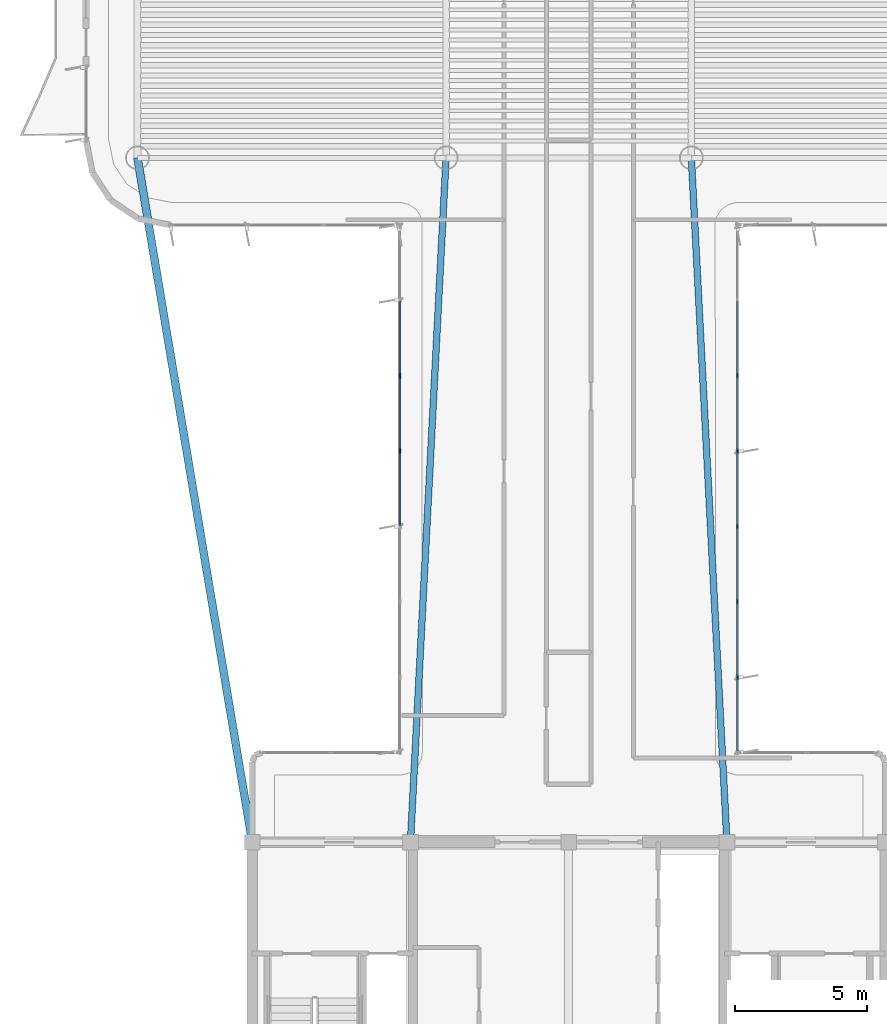
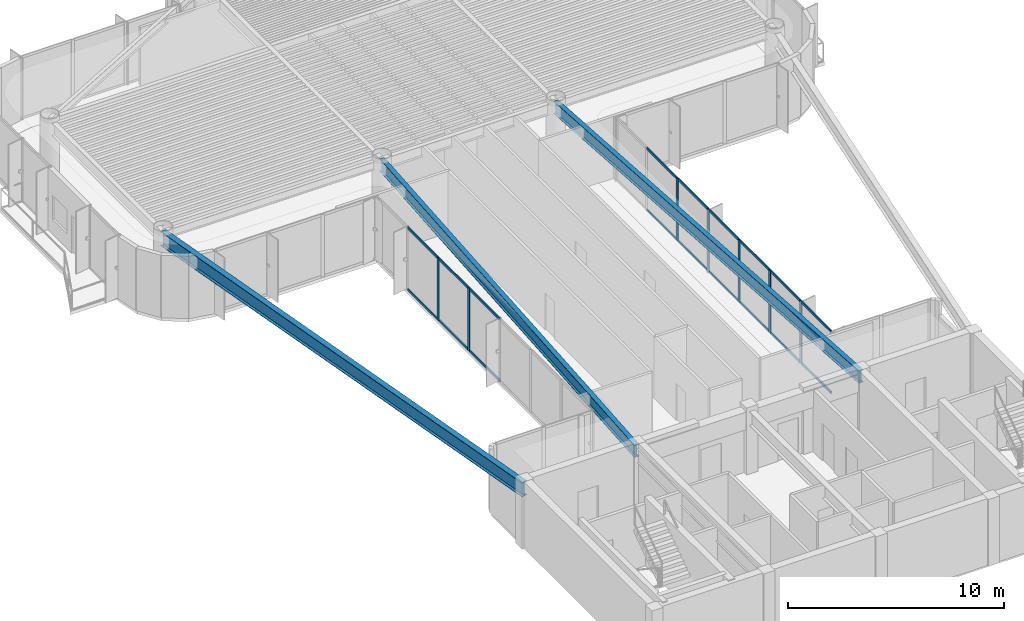
# One storey, part 3 of 14: 25 members, 3 beams, 2 elements without a shape of their own.
"""IFC4 building model written with IfcOpenShell, lengths in metres."""

from ifc_helpers import new_model, si_unit, direction, frame, origin, origin_2d, place, context, subcontext, project, spatial, rectangle, i_section, extrude, source, transform, mapped, material, layer, layer_set, material_profile, profile_set, type_object, element, aggregate, save


model = new_model("IFC4")

# Units and contexts
model_context = context("Model", 3, precision=1e-05, world=origin(), true_north=direction((0.0, 1.0)))
body_context = subcontext(model_context, "Body", "Model", "MODEL_VIEW")
ifc_project = project(units=[si_unit("LENGTHUNIT", "METRE"), si_unit("AREAUNIT", "SQUARE_METRE"), si_unit("VOLUMEUNIT", "CUBIC_METRE"), si_unit("PLANEANGLEUNIT", "RADIAN"), si_unit("MASSUNIT", "GRAM", prefix="KILO")], contexts=[model_context])

# Site, building, storey
site_placement = place(None, origin())
site = spatial("IfcSite", under=ifc_project, at=site_placement, CompositionType="ELEMENT")
building_placement = place(site_placement, origin())
building = spatial("IfcBuilding", under=site, at=building_placement, Name="Brelvock Crest Care Tower", CompositionType="ELEMENT")
storey_placement = place(building_placement, frame((0.0, 0.0, 257.0400390625)))
storey = spatial("IfcBuildingStorey", under=building, at=storey_placement, Name="L65", CompositionType="ELEMENT", Elevation=257.0400390625)

# Beams
ifc_material_1 = material(Name="Steel Grade 350", Category="steel")
ifc_material_profile_1 = material_profile(ifc_material_1, i_section(OverallWidth=0.25, OverallDepth=0.699951171875, WebThickness=0.011962890625, FlangeThickness=0.02001953125, at=origin_2d()), Name="700WB150")
ifc_profile_set_1 = profile_set([ifc_material_profile_1], Name="Steel Grade 350")
beam_type_1 = type_object("IfcBeamType", Name="BM-G4", PredefinedType="BEAM", material=ifc_profile_set_1)
shared_shape_1 = source(origin(), body_context, "Body", "SweptSolid", [
    extrude(i_section(OverallWidth=0.25, OverallDepth=0.699951171875, WebThickness=0.011962890625, FlangeThickness=0.02001953125, at=origin_2d()), origin(), (0.0, 0.0, 1.0), 25.985107421875),
])
for number, where, z_axis, x_axis, name in (
    (1, (30.0, 18.0, 3.179931640625), (0.051956711656, 0.998649337913, 0.0), (-0.998649337913, 0.051956711656, 0.0), "BM-THRW-L65"),
    (2, (42.0, 18.0, 3.179931640625), (-0.051956711656, 0.998649337913, 0.0), (-0.998649337913, -0.051956711656, 0.0), "BM-THRE-L65"),
):
    element("IfcBeam", number, at=place(storey_placement, frame(where, z_axis=z_axis, x_axis=x_axis)), inside=storey, type_object=beam_type_1, Name=name, PredefinedType="BEAM", context=body_context, shape_type="MappedRepresentation", body=[
        mapped(shared_shape_1, transform((0.0, 0.0, 0.0), x_axis=(1.0, 0.0, 0.0), y_axis=(0.0, 1.0, 0.0), z_axis=(0.0, 0.0, 1.0), scale=1.0)),
    ])
ifc_material_profile_2 = material_profile(ifc_material_1, i_section(OverallWidth=0.300048828125, OverallDepth=0.800048828125, WebThickness=0.013916015625, FlangeThickness=0.02197265625, at=origin_2d()), Name="800WB192")
ifc_profile_set_2 = profile_set([ifc_material_profile_2], Name="Steel Grade 350")
beam_type_2 = type_object("IfcBeamType", Name="BM-G5", PredefinedType="BEAM", material=ifc_profile_set_2)
shared_shape_2 = source(origin(), body_context, "Body", "SweptSolid", [
    extrude(i_section(OverallWidth=0.300048828125, OverallDepth=0.800048828125, WebThickness=0.013916015625, FlangeThickness=0.02197265625, at=origin_2d()), origin(), (0.0, 0.0, 1.0), 26.31201171875),
])
beam_placement = place(storey_placement, frame((24.0, 18.0, 3.1298828125), z_axis=(-0.165327282709, 0.986238758918, 0.0), x_axis=(-0.986238758918, -0.165327282709, 0.0)))
element("IfcBeam", 3, at=beam_placement, inside=storey, type_object=beam_type_2, Name="BM-THRO-W-L65", PredefinedType="BEAM", context=body_context, shape_type="MappedRepresentation", body=[
    mapped(shared_shape_2, transform((0.0, 0.0, 0.0), x_axis=(1.0, 0.0, 0.0), y_axis=(0.0, 1.0, 0.0), z_axis=(0.0, 0.0, 1.0), scale=1.0)),
])

# Curtain wall, members
ifc_material_2 = material(Name="Dark Glass Double Glazed Low-E", Category="glass")
ifc_layer = layer(ifc_material_2, 0.239990234375, Name="CWS-5")
ifc_layer_set = layer_set([ifc_layer], Name="Dark Glass Double Glazed Low-E")
curtain_wall_type = type_object("IfcCurtainWallType", Name="CWS-5", PredefinedType="NOTDEFINED", material=ifc_layer_set)
curtain_wall_1_placement = place(storey_placement, origin())
curtain_wall_1 = element("IfcCurtainWall", 4, at=curtain_wall_1_placement, inside=storey, type_object=curtain_wall_type, Name="L65 Curtain Wall E11", PredefinedType="NOTDEFINED")
ifc_material_3 = material(Name="Aluminium 6063-T6", Category="aluminium")
ifc_material_profile_3 = material_profile(ifc_material_3, rectangle(XDim=0.06005859375, YDim=0.179931640625, at=origin_2d()), Name="ALU60x180")
ifc_profile_set_3 = profile_set([ifc_material_profile_3], Name="Aluminium 6063-T6")
member_type_1 = type_object("IfcMemberType", Name="CWM-2", PredefinedType="MULLION", material=ifc_profile_set_3)
shared_shape_3 = source(origin(), body_context, "Body", "SweptSolid", [
    extrude(rectangle(XDim=0.06005859375, YDim=0.179931640625, at=origin_2d()), origin(), (0.0, 0.0, 1.0), 3.530029296875),
])
member_1_placement = place(storey_placement, frame((29.60009765625, 32.82861328125, 0.0), z_axis=(0.0, 0.0, 1.0), x_axis=(-1.0, 0.0, 0.0)))
member_1 = element("IfcMember", 5, at=member_1_placement, type_object=member_type_1, Name="CW-5 mullion 5", PredefinedType="MULLION", context=body_context, shape_type="MappedRepresentation", body=[
    mapped(shared_shape_3, transform((0.0, 0.0, 0.0), x_axis=(1.0, 0.0, 0.0), y_axis=(0.0, 1.0, 0.0), z_axis=(0.0, 0.0, 1.0), scale=1.0)),
])
member_2_placement = place(storey_placement, frame((29.60009765625, 35.685791015625, 0.0), z_axis=(0.0, 0.0, 1.0), x_axis=(-1.0, 0.0, 0.0)))
member_2 = element("IfcMember", 6, at=member_2_placement, type_object=member_type_1, Name="CW-5 mullion 6", PredefinedType="MULLION", context=body_context, shape_type="MappedRepresentation", body=[
    mapped(shared_shape_3, transform((0.0, 0.0, 0.0), x_axis=(1.0, 0.0, 0.0), y_axis=(0.0, 1.0, 0.0), z_axis=(0.0, 0.0, 1.0), scale=1.0)),
])

curtain_wall_2_placement = place(storey_placement, origin())
curtain_wall_2 = element("IfcCurtainWall", 7, at=curtain_wall_2_placement, inside=storey, type_object=curtain_wall_type, Name="L65 Curtain Wall E45", PredefinedType="NOTDEFINED")
member_3_placement = place(storey_placement, frame((42.39990234375, 35.685791015625, 0.0), z_axis=(0.0, 0.0, 1.0), x_axis=(1.0, 0.0, 0.0)))
member_3 = element("IfcMember", 8, at=member_3_placement, type_object=member_type_1, Name="CW-5 mullion 3", PredefinedType="MULLION", context=body_context, shape_type="MappedRepresentation", body=[
    mapped(shared_shape_3, transform((0.0, 0.0, 0.0), x_axis=(1.0, 0.0, 0.0), y_axis=(0.0, 1.0, 0.0), z_axis=(0.0, 0.0, 1.0), scale=1.0)),
])
member_4_placement = place(storey_placement, frame((42.39990234375, 32.82861328125, 0.0), z_axis=(0.0, 0.0, 1.0), x_axis=(1.0, 0.0, 0.0)))
member_4 = element("IfcMember", 9, at=member_4_placement, type_object=member_type_1, Name="CW-5 mullion 4", PredefinedType="MULLION", context=body_context, shape_type="MappedRepresentation", body=[
    mapped(shared_shape_3, transform((0.0, 0.0, 0.0), x_axis=(1.0, 0.0, 0.0), y_axis=(0.0, 1.0, 0.0), z_axis=(0.0, 0.0, 1.0), scale=1.0)),
])
member_5_placement = place(storey_placement, frame((42.39990234375, 29.971435546875, 0.0), z_axis=(0.0, 0.0, 1.0), x_axis=(1.0, 0.0, 0.0)))
member_5 = element("IfcMember", 10, at=member_5_placement, type_object=member_type_1, Name="CW-5 mullion 5", PredefinedType="MULLION", context=body_context, shape_type="MappedRepresentation", body=[
    mapped(shared_shape_3, transform((0.0, 0.0, 0.0), x_axis=(1.0, 0.0, 0.0), y_axis=(0.0, 1.0, 0.0), z_axis=(0.0, 0.0, 1.0), scale=1.0)),
])
member_6_placement = place(storey_placement, frame((42.39990234375, 27.1142578125, 0.0), z_axis=(0.0, 0.0, 1.0), x_axis=(1.0, 0.0, 0.0)))
member_6 = element("IfcMember", 11, at=member_6_placement, type_object=member_type_1, Name="CW-5 mullion 6", PredefinedType="MULLION", context=body_context, shape_type="MappedRepresentation", body=[
    mapped(shared_shape_3, transform((0.0, 0.0, 0.0), x_axis=(1.0, 0.0, 0.0), y_axis=(0.0, 1.0, 0.0), z_axis=(0.0, 0.0, 1.0), scale=1.0)),
])
member_7_placement = place(storey_placement, frame((42.39990234375, 24.257080078125, 0.0), z_axis=(0.0, 0.0, 1.0), x_axis=(1.0, 0.0, 0.0)))
member_7 = element("IfcMember", 12, at=member_7_placement, type_object=member_type_1, Name="CW-5 mullion 7", PredefinedType="MULLION", context=body_context, shape_type="MappedRepresentation", body=[
    mapped(shared_shape_3, transform((0.0, 0.0, 0.0), x_axis=(1.0, 0.0, 0.0), y_axis=(0.0, 1.0, 0.0), z_axis=(0.0, 0.0, 1.0), scale=1.0)),
])
ifc_material_profile_4 = material_profile(ifc_material_3, rectangle(XDim=0.06005859375, YDim=0.139892578125, at=origin_2d()), Name="ALU60x140")
ifc_profile_set_4 = profile_set([ifc_material_profile_4], Name="Aluminium 6063-T6")
member_type_2 = type_object("IfcMemberType", Name="CWT-2", PredefinedType="USERDEFINED", material=ifc_profile_set_4)
shared_shape_4 = source(origin(), body_context, "Body", "SweptSolid", [
    extrude(rectangle(XDim=0.06005859375, YDim=0.139892578125, at=origin_2d()), origin(), (0.0, 0.0, 1.0), 2.76708984375),
])
member_8_placement = place(storey_placement, frame((42.39990234375, 24.22705078125, 0.030029296875), z_axis=(0.0, -1.0, 0.0), x_axis=(1.0, 0.0, 0.0)))
member_8 = element("IfcMember", 13, at=member_8_placement, type_object=member_type_2, Name="CW-5 transom 7.1", ObjectType="TRANSOM", PredefinedType="USERDEFINED", context=body_context, shape_type="MappedRepresentation", body=[
    mapped(shared_shape_4, transform((0.0, 0.0, 0.0), x_axis=(1.0, 0.0, 0.0), y_axis=(0.0, 1.0, 0.0), z_axis=(0.0, 0.0, 1.0), scale=1.0)),
])
member_9_placement = place(storey_placement, frame((42.39990234375, 24.22705078125, 3.5), z_axis=(0.0, -1.0, 0.0), x_axis=(1.0, 0.0, 0.0)))
member_9 = element("IfcMember", 14, at=member_9_placement, type_object=member_type_2, Name="CW-5 transom 7.2", ObjectType="TRANSOM", PredefinedType="USERDEFINED", context=body_context, shape_type="MappedRepresentation", body=[
    mapped(shared_shape_4, transform((0.0, 0.0, 0.0), x_axis=(1.0, 0.0, 0.0), y_axis=(0.0, 1.0, 0.0), z_axis=(0.0, 0.0, 1.0), scale=1.0)),
])

# Member
shared_shape_5 = source(origin(), body_context, "Body", "SweptSolid", [
    extrude(rectangle(XDim=0.06005859375, YDim=0.139892578125, at=origin_2d()), origin(), (0.0, 0.0, 1.0), 2.797119140625),
])
member_10_placement = place(storey_placement, frame((29.60009765625, 30.00146484375, 0.030029296875), z_axis=(0.0, 1.0, 0.0), x_axis=(-1.0, 0.0, 0.0)))
member_10 = element("IfcMember", 15, at=member_10_placement, type_object=member_type_2, Name="CW-5 transom 4.1", ObjectType="TRANSOM", PredefinedType="USERDEFINED", context=body_context, shape_type="MappedRepresentation", body=[
    mapped(shared_shape_5, transform((0.0, 0.0, 0.0), x_axis=(1.0, 0.0, 0.0), y_axis=(0.0, 1.0, 0.0), z_axis=(0.0, 0.0, 1.0), scale=1.0)),
])

member_11_placement = place(storey_placement, frame((29.60009765625, 30.00146484375, 3.5), z_axis=(0.0, 1.0, 0.0), x_axis=(-1.0, 0.0, 0.0)))
member_11 = element("IfcMember", 16, at=member_11_placement, type_object=member_type_2, Name="CW-5 transom 4.2", ObjectType="TRANSOM", PredefinedType="USERDEFINED", context=body_context, shape_type="MappedRepresentation", body=[
    mapped(shared_shape_5, transform((0.0, 0.0, 0.0), x_axis=(1.0, 0.0, 0.0), y_axis=(0.0, 1.0, 0.0), z_axis=(0.0, 0.0, 1.0), scale=1.0)),
])

member_12_placement = place(storey_placement, frame((29.60009765625, 32.858642578125, 0.030029296875), z_axis=(0.0, 1.0, 0.0), x_axis=(-1.0, 0.0, 0.0)))
member_12 = element("IfcMember", 17, at=member_12_placement, type_object=member_type_2, Name="CW-5 transom 5.1", ObjectType="TRANSOM", PredefinedType="USERDEFINED", context=body_context, shape_type="MappedRepresentation", body=[
    mapped(shared_shape_5, transform((0.0, 0.0, 0.0), x_axis=(1.0, 0.0, 0.0), y_axis=(0.0, 1.0, 0.0), z_axis=(0.0, 0.0, 1.0), scale=1.0)),
])

member_13_placement = place(storey_placement, frame((29.60009765625, 32.858642578125, 3.5), z_axis=(0.0, 1.0, 0.0), x_axis=(-1.0, 0.0, 0.0)))
member_13 = element("IfcMember", 18, at=member_13_placement, type_object=member_type_2, Name="CW-5 transom 5.2", ObjectType="TRANSOM", PredefinedType="USERDEFINED", context=body_context, shape_type="MappedRepresentation", body=[
    mapped(shared_shape_5, transform((0.0, 0.0, 0.0), x_axis=(1.0, 0.0, 0.0), y_axis=(0.0, 1.0, 0.0), z_axis=(0.0, 0.0, 1.0), scale=1.0)),
])

member_14_placement = place(storey_placement, frame((29.60009765625, 35.7158203125, 0.030029296875), z_axis=(0.0, 1.0, 0.0), x_axis=(-1.0, 0.0, 0.0)))
member_14 = element("IfcMember", 19, at=member_14_placement, type_object=member_type_2, Name="CW-5 transom 6.1", ObjectType="TRANSOM", PredefinedType="USERDEFINED", context=body_context, shape_type="MappedRepresentation", body=[
    mapped(shared_shape_5, transform((0.0, 0.0, 0.0), x_axis=(1.0, 0.0, 0.0), y_axis=(0.0, 1.0, 0.0), z_axis=(0.0, 0.0, 1.0), scale=1.0)),
])

member_15_placement = place(storey_placement, frame((29.60009765625, 35.7158203125, 3.5), z_axis=(0.0, 1.0, 0.0), x_axis=(-1.0, 0.0, 0.0)))
member_15 = element("IfcMember", 20, at=member_15_placement, type_object=member_type_2, Name="CW-5 transom 6.2", ObjectType="TRANSOM", PredefinedType="USERDEFINED", context=body_context, shape_type="MappedRepresentation", body=[
    mapped(shared_shape_5, transform((0.0, 0.0, 0.0), x_axis=(1.0, 0.0, 0.0), y_axis=(0.0, 1.0, 0.0), z_axis=(0.0, 0.0, 1.0), scale=1.0)),
])

aggregate(curtain_wall_1, [member_1, member_2, member_10, member_11, member_12, member_13, member_14, member_15])

member_16_placement = place(storey_placement, frame((42.39990234375, 38.512939453125, 0.030029296875), z_axis=(0.0, -1.0, 0.0), x_axis=(1.0, 0.0, 0.0)))
member_16 = element("IfcMember", 21, at=member_16_placement, type_object=member_type_2, Name="CW-5 transom 2.1", ObjectType="TRANSOM", PredefinedType="USERDEFINED", context=body_context, shape_type="MappedRepresentation", body=[
    mapped(shared_shape_5, transform((0.0, 0.0, 0.0), x_axis=(1.0, 0.0, 0.0), y_axis=(0.0, 1.0, 0.0), z_axis=(0.0, 0.0, 1.0), scale=1.0)),
])

member_17_placement = place(storey_placement, frame((42.39990234375, 38.512939453125, 3.5), z_axis=(0.0, -1.0, 0.0), x_axis=(1.0, 0.0, 0.0)))
member_17 = element("IfcMember", 22, at=member_17_placement, type_object=member_type_2, Name="CW-5 transom 2.2", ObjectType="TRANSOM", PredefinedType="USERDEFINED", context=body_context, shape_type="MappedRepresentation", body=[
    mapped(shared_shape_5, transform((0.0, 0.0, 0.0), x_axis=(1.0, 0.0, 0.0), y_axis=(0.0, 1.0, 0.0), z_axis=(0.0, 0.0, 1.0), scale=1.0)),
])

member_18_placement = place(storey_placement, frame((42.39990234375, 35.65576171875, 0.030029296875), z_axis=(0.0, -1.0, 0.0), x_axis=(1.0, 0.0, 0.0)))
member_18 = element("IfcMember", 23, at=member_18_placement, type_object=member_type_2, Name="CW-5 transom 3.1", ObjectType="TRANSOM", PredefinedType="USERDEFINED", context=body_context, shape_type="MappedRepresentation", body=[
    mapped(shared_shape_5, transform((0.0, 0.0, 0.0), x_axis=(1.0, 0.0, 0.0), y_axis=(0.0, 1.0, 0.0), z_axis=(0.0, 0.0, 1.0), scale=1.0)),
])

member_19_placement = place(storey_placement, frame((42.39990234375, 35.65576171875, 3.5), z_axis=(0.0, -1.0, 0.0), x_axis=(1.0, 0.0, 0.0)))
member_19 = element("IfcMember", 24, at=member_19_placement, type_object=member_type_2, Name="CW-5 transom 3.2", ObjectType="TRANSOM", PredefinedType="USERDEFINED", context=body_context, shape_type="MappedRepresentation", body=[
    mapped(shared_shape_5, transform((0.0, 0.0, 0.0), x_axis=(1.0, 0.0, 0.0), y_axis=(0.0, 1.0, 0.0), z_axis=(0.0, 0.0, 1.0), scale=1.0)),
])

member_20_placement = place(storey_placement, frame((42.39990234375, 32.798583984375, 0.030029296875), z_axis=(0.0, -1.0, 0.0), x_axis=(1.0, 0.0, 0.0)))
member_20 = element("IfcMember", 25, at=member_20_placement, type_object=member_type_2, Name="CW-5 transom 4.1", ObjectType="TRANSOM", PredefinedType="USERDEFINED", context=body_context, shape_type="MappedRepresentation", body=[
    mapped(shared_shape_5, transform((0.0, 0.0, 0.0), x_axis=(1.0, 0.0, 0.0), y_axis=(0.0, 1.0, 0.0), z_axis=(0.0, 0.0, 1.0), scale=1.0)),
])

member_21_placement = place(storey_placement, frame((42.39990234375, 32.798583984375, 3.5), z_axis=(0.0, -1.0, 0.0), x_axis=(1.0, 0.0, 0.0)))
member_21 = element("IfcMember", 26, at=member_21_placement, type_object=member_type_2, Name="CW-5 transom 4.2", ObjectType="TRANSOM", PredefinedType="USERDEFINED", context=body_context, shape_type="MappedRepresentation", body=[
    mapped(shared_shape_5, transform((0.0, 0.0, 0.0), x_axis=(1.0, 0.0, 0.0), y_axis=(0.0, 1.0, 0.0), z_axis=(0.0, 0.0, 1.0), scale=1.0)),
])

member_22_placement = place(storey_placement, frame((42.39990234375, 29.94140625, 0.030029296875), z_axis=(0.0, -1.0, 0.0), x_axis=(1.0, 0.0, 0.0)))
member_22 = element("IfcMember", 27, at=member_22_placement, type_object=member_type_2, Name="CW-5 transom 5.1", ObjectType="TRANSOM", PredefinedType="USERDEFINED", context=body_context, shape_type="MappedRepresentation", body=[
    mapped(shared_shape_5, transform((0.0, 0.0, 0.0), x_axis=(1.0, 0.0, 0.0), y_axis=(0.0, 1.0, 0.0), z_axis=(0.0, 0.0, 1.0), scale=1.0)),
])

member_23_placement = place(storey_placement, frame((42.39990234375, 29.94140625, 3.5), z_axis=(0.0, -1.0, 0.0), x_axis=(1.0, 0.0, 0.0)))
member_23 = element("IfcMember", 28, at=member_23_placement, type_object=member_type_2, Name="CW-5 transom 5.2", ObjectType="TRANSOM", PredefinedType="USERDEFINED", context=body_context, shape_type="MappedRepresentation", body=[
    mapped(shared_shape_5, transform((0.0, 0.0, 0.0), x_axis=(1.0, 0.0, 0.0), y_axis=(0.0, 1.0, 0.0), z_axis=(0.0, 0.0, 1.0), scale=1.0)),
])

member_24_placement = place(storey_placement, frame((42.39990234375, 27.084228515625, 0.030029296875), z_axis=(0.0, -1.0, 0.0), x_axis=(1.0, 0.0, 0.0)))
member_24 = element("IfcMember", 29, at=member_24_placement, type_object=member_type_2, Name="CW-5 transom 6.1", ObjectType="TRANSOM", PredefinedType="USERDEFINED", context=body_context, shape_type="MappedRepresentation", body=[
    mapped(shared_shape_5, transform((0.0, 0.0, 0.0), x_axis=(1.0, 0.0, 0.0), y_axis=(0.0, 1.0, 0.0), z_axis=(0.0, 0.0, 1.0), scale=1.0)),
])

member_25_placement = place(storey_placement, frame((42.39990234375, 27.084228515625, 3.5), z_axis=(0.0, -1.0, 0.0), x_axis=(1.0, 0.0, 0.0)))
member_25 = element("IfcMember", 30, at=member_25_placement, type_object=member_type_2, Name="CW-5 transom 6.2", ObjectType="TRANSOM", PredefinedType="USERDEFINED", context=body_context, shape_type="MappedRepresentation", body=[
    mapped(shared_shape_5, transform((0.0, 0.0, 0.0), x_axis=(1.0, 0.0, 0.0), y_axis=(0.0, 1.0, 0.0), z_axis=(0.0, 0.0, 1.0), scale=1.0)),
])

aggregate(curtain_wall_2, [member_3, member_4, member_5, member_6, member_7, member_16, member_17, member_18, member_19, member_20, member_21, member_22, member_23, member_24, member_25, member_8, member_9])

save(model, "model.ifc")
